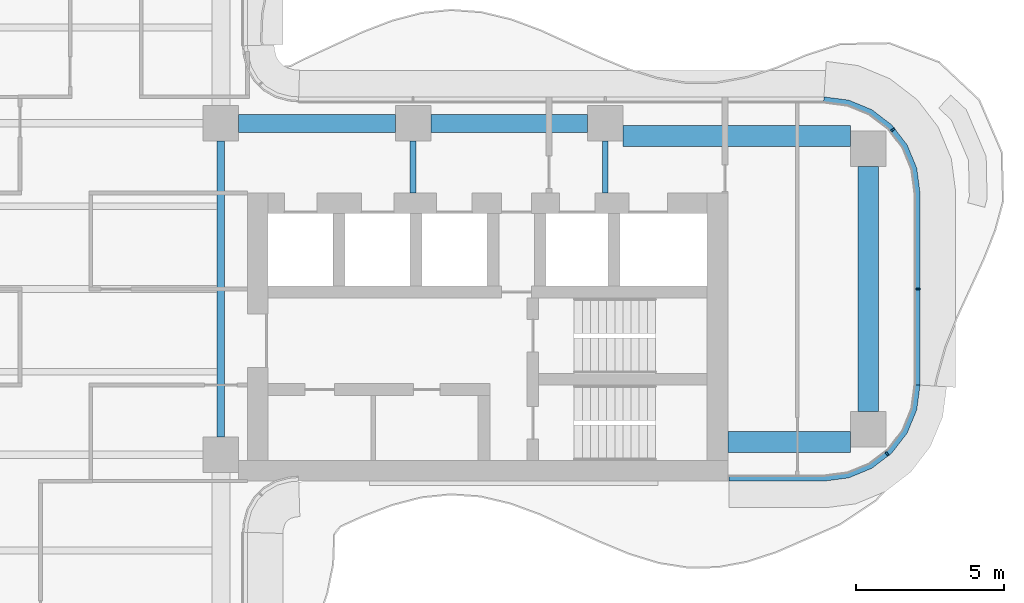
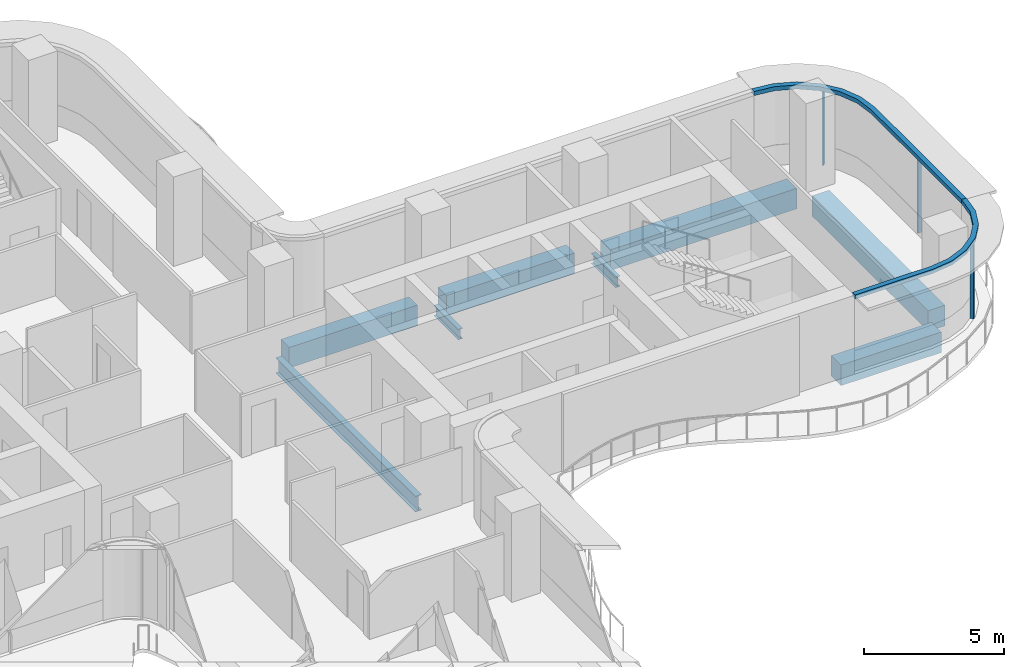
# One storey, part 6 of 17: 8 beams, 5 members, 2 elements without a shape of their own.
"""IFC4 building model written with IfcOpenShell, lengths in metres."""

from ifc_helpers import new_model, si_unit, direction, frame, origin, origin_2d, place, context, subcontext, project, spatial, polyline, rectangle, i_section, outline, extrude, source, transform, mapped, material, layer, layer_set, material_profile, profile_set, type_object, element, aggregate, save


model = new_model("IFC4")

# Units and contexts
model_context = context("Model", 3, precision=1e-05, world=origin(), true_north=direction((0.0, 1.0)))
body_context = subcontext(model_context, "Body", "Model", "MODEL_VIEW")
ifc_project = project(units=[si_unit("LENGTHUNIT", "METRE"), si_unit("AREAUNIT", "SQUARE_METRE"), si_unit("VOLUMEUNIT", "CUBIC_METRE"), si_unit("PLANEANGLEUNIT", "RADIAN"), si_unit("MASSUNIT", "GRAM", prefix="KILO")], contexts=[model_context])

# Site, building, storey
site_placement = place(None, origin())
site = spatial("IfcSite", under=ifc_project, at=site_placement, CompositionType="ELEMENT")
building_placement = place(site_placement, origin())
building = spatial("IfcBuilding", under=site, at=building_placement, Name="Trellis Farm Tower", CompositionType="ELEMENT")
storey_placement = place(building_placement, frame((0.0, 0.0, 208.800048828125)))
storey = spatial("IfcBuildingStorey", under=building, at=storey_placement, Name="L46", CompositionType="ELEMENT", Elevation=208.800048828125)

# Beams
ifc_material_1 = material(Name="Concrete C60/75", Category="concrete")
ifc_material_profile_1 = material_profile(ifc_material_1, rectangle(XDim=0.60009765625, YDim=0.89990234375, at=origin_2d()), Name="RC spandrel beam 600x900 C60/75")
ifc_profile_set_1 = profile_set([ifc_material_profile_1], Name="Concrete C60/75")
beam_type_1 = type_object("IfcBeamType", Name="RC spandrel beam 600x900 C60/75", PredefinedType="SPANDREL", material=ifc_profile_set_1)
shared_shape_1 = source(origin(), body_context, "Body", "SweptSolid", [
    extrude(rectangle(XDim=0.60009765625, YDim=0.89990234375, at=origin_2d()), origin(), (0.0, 0.0, 1.0), 5.300048828125),
])
for number, where, z_axis, x_axis, name in (
    (1, (6.199951171875, 5.60009765625, -0.650146484375), (1.0, 0.0, 0.0), (0.0, 1.0, 0.0), "Girder"),
    (2, (12.699951171875, 5.60009765625, -0.650146484375), (1.0, 0.0, 0.0), (0.0, 1.0, 0.0), "Girder"),
):
    element("IfcBeam", number, at=place(storey_placement, frame(where, z_axis=z_axis, x_axis=x_axis)), inside=storey, type_object=beam_type_1, Name=name, PredefinedType="SPANDREL", context=body_context, shape_type="MappedRepresentation", body=[
        mapped(shared_shape_1, transform((0.0, 0.0, 0.0))),
    ])
ifc_material_2 = material(Name="Steel S355", Category="steel")
ifc_material_profile_2 = material_profile(ifc_material_2, i_section(OverallWidth=0.253662109375, OverallDepth=0.68359375, WebThickness=0.012451171875, FlangeThickness=0.021728515625, FilletRadius=0.01513671875, at=origin_2d()), Name="UB 686x254x140")
ifc_profile_set_2 = profile_set([ifc_material_profile_2], Name="Steel S355")
beam_type_2 = type_object("IfcBeamType", Name="UB 686x254x140", PredefinedType="BEAM", material=ifc_profile_set_2)
shared_shape_2 = source(origin(), body_context, "Body", "SweptSolid", [
    extrude(i_section(OverallWidth=0.253662109375, OverallDepth=0.68359375, WebThickness=0.012451171875, FlangeThickness=0.021728515625, FilletRadius=0.01513671875, at=origin_2d()), origin(), (0.0, 0.0, 1.0), 10.0),
])
beam_1_placement = place(storey_placement, frame((5.60009765625, -5.0, -0.541748046875), z_axis=(0.0, 1.0, 0.0), x_axis=(-1.0, 0.0, 0.0)))
element("IfcBeam", 3, at=beam_1_placement, inside=storey, type_object=beam_type_2, Name="Girder", PredefinedType="BEAM", context=body_context, shape_type="MappedRepresentation", body=[
    mapped(shared_shape_2, transform((0.0, 0.0, 0.0))),
])
ifc_material_profile_3 = material_profile(ifc_material_1, rectangle(XDim=0.699951171875, YDim=0.89990234375, at=origin_2d()), Name="RC spandrel beam 700x900 C60/75")
ifc_profile_set_3 = profile_set([ifc_material_profile_3], Name="Concrete C60/75")
beam_type_3 = type_object("IfcBeamType", Name="RC spandrel beam 700x900 C60/75", PredefinedType="SPANDREL", material=ifc_profile_set_3)
shared_shape_3 = source(origin(), body_context, "Body", "SweptSolid", [
    extrude(rectangle(XDim=0.699951171875, YDim=0.89990234375, at=origin_2d()), origin(), (0.0, 0.0, 1.0), 8.2998046875),
])
beam_2_placement = place(storey_placement, frame((27.5, -4.14990234375, -0.650146484375), z_axis=(0.0, 1.0, 0.0), x_axis=(-1.0, 0.0, 0.0)))
element("IfcBeam", 4, at=beam_2_placement, inside=storey, type_object=beam_type_3, Name="Girder", PredefinedType="SPANDREL", context=body_context, shape_type="MappedRepresentation", body=[
    mapped(shared_shape_3, transform((0.0, 0.0, 0.0))),
])
ifc_material_profile_4 = material_profile(ifc_material_2, i_section(OverallWidth=0.1904296875, OverallDepth=0.45703125, WebThickness=0.009033203125, FlangeThickness=0.014404296875, FilletRadius=0.01025390625, at=origin_2d()), Name="UB 457x191x74")
ifc_profile_set_4 = profile_set([ifc_material_profile_4], Name="Steel S355")
beam_type_4 = type_object("IfcBeamType", Name="UB 457x191x74", PredefinedType="BEAM", material=ifc_profile_set_4)
shared_shape_4 = source(origin(), body_context, "Body", "SweptSolid", [
    extrude(i_section(OverallWidth=0.1904296875, OverallDepth=0.45703125, WebThickness=0.009033203125, FlangeThickness=0.014404296875, FilletRadius=0.01025390625, at=origin_2d()), origin(), (0.0, 0.0, 1.0), 1.75),
])
for number, where, z_axis, x_axis, name in (
    (5, (12.10009765625, 3.25, -0.428466796875), (0.0, 1.0, 0.0), (-1.0, 0.0, 0.0), "Girder"),
    (6, (18.60009765625, 3.25, -0.428466796875), (0.0, 1.0, 0.0), (-1.0, 0.0, 0.0), "Girder"),
):
    element("IfcBeam", number, at=place(storey_placement, frame(where, z_axis=z_axis, x_axis=x_axis)), inside=storey, type_object=beam_type_4, Name=name, PredefinedType="BEAM", context=body_context, shape_type="MappedRepresentation", body=[
        mapped(shared_shape_4, transform((0.0, 0.0, 0.0))),
    ])
shared_shape_5 = source(origin(), body_context, "Body", "SweptSolid", [
    extrude(rectangle(XDim=0.699951171875, YDim=0.89990234375, at=origin_2d()), origin(), (0.0, 0.0, 1.0), 7.699951171875),
])
beam_3_placement = place(storey_placement, frame((19.199951171875, 5.175048828125, -0.650146484375), z_axis=(1.0, 0.0, 0.0), x_axis=(0.0, 1.0, 0.0)))
element("IfcBeam", 7, at=beam_3_placement, inside=storey, type_object=beam_type_3, Name="Girder", PredefinedType="SPANDREL", context=body_context, shape_type="MappedRepresentation", body=[
    mapped(shared_shape_5, transform((0.0, 0.0, 0.0))),
])
shared_shape_6 = source(origin(), body_context, "Body", "SweptSolid", [
    extrude(rectangle(XDim=0.699951171875, YDim=0.89990234375, at=origin_2d()), origin(), (0.0, 0.0, 1.0), 4.14990234375),
])
beam_4_placement = place(storey_placement, frame((22.75, -5.175048828125, -0.650146484375), z_axis=(1.0, 0.0, 0.0), x_axis=(0.0, 1.0, 0.0)))
element("IfcBeam", 8, at=beam_4_placement, inside=storey, type_object=beam_type_3, Name="Girder", PredefinedType="SPANDREL", context=body_context, shape_type="MappedRepresentation", body=[
    mapped(shared_shape_6, transform((0.0, 0.0, 0.0))),
])

# Curtain wall, member
ifc_material_3 = material(Name="Aluminium and glass curtain wall", Category="aluminium")
ifc_layer_1 = layer(ifc_material_3, 0.18994140625)
ifc_layer_set_1 = layer_set([ifc_layer_1], Name="RIBBON CURTAIN WALL CW1")
curtain_wall_type = type_object("IfcCurtainWallType", Name="RIBBON CURTAIN WALL CW1", PredefinedType="NOTDEFINED", material=ifc_layer_set_1)
placement_1 = place(storey_placement, origin())
curtain_wall_1 = element("IfcCurtainWall", 9, at=placement_1, inside=storey, type_object=curtain_wall_type, Name="CW1 006", PredefinedType="NOTDEFINED")
ifc_material_4 = material(Name="Aluminium extrusion 6063-T6", Category="aluminium")
ifc_layer_2 = layer(ifc_material_4, 0.199951171875)
ifc_layer_set_2 = layer_set([ifc_layer_2], Name="Aluminium extrusion 6063-T6")
member_type_1 = type_object("IfcMemberType", Name="CW1 TRANSOM 200x180", PredefinedType="USERDEFINED", material=ifc_layer_set_2)
shared_shape_7 = source(origin(), body_context, "Body", "SweptSolid", [
    extrude(outline(polyline([(22.780029296875, -6.5), (26.0, -6.5), (26.841064453125, -6.38916015625), (27.625, -6.064697265625), (28.298095703125, -5.548095703125), (28.814697265625, -4.875), (29.13916015625, -4.091064453125), (29.25, -3.25), (29.050048828125, -3.23681640625), (28.9443359375, -4.0390625), (28.639892578125, -4.774169921875), (28.155517578125, -5.405517578125), (27.524169921875, -5.889892578125), (26.7890625, -6.1943359375), (25.98681640625, -6.300048828125), (22.780029296875, -6.300048828125), (22.780029296875, -6.5)])), origin(), (0.0, 0.0, 1.0), 0.179931640625),
])
placement_2 = place(storey_placement, frame((0.0, 0.0, 3.27001953125)))
member_1 = element("IfcMember", 10, at=placement_2, type_object=member_type_1, Name="TR1 006", ObjectType="TRANSOM", PredefinedType="USERDEFINED", context=body_context, shape_type="MappedRepresentation", body=[
    mapped(shared_shape_7, transform((0.0, 0.0, 0.0))),
])

curtain_wall_2 = element("IfcCurtainWall", 11, at=placement_1, inside=storey, type_object=curtain_wall_type, Name="CW1 007", PredefinedType="NOTDEFINED")
shared_shape_8 = source(origin(), body_context, "Body", "SweptSolid", [
    extrude(outline(polyline([(29.25, -3.25), (29.25, 3.25), (29.13916015625, 4.091064453125), (28.814697265625, 4.875), (28.298095703125, 5.548095703125), (27.625, 6.064697265625), (26.841064453125, 6.38916015625), (26.0, 6.5), (25.98681640625, 6.300048828125), (26.7890625, 6.1943359375), (27.524169921875, 5.889892578125), (28.155517578125, 5.405517578125), (28.639892578125, 4.774169921875), (28.9443359375, 4.0390625), (29.050048828125, 3.23681640625), (29.050048828125, -3.23681640625), (29.25, -3.25)])), origin(), (0.0, 0.0, 1.0), 0.179931640625),
])
member_2 = element("IfcMember", 12, at=placement_2, type_object=member_type_1, Name="TR1 007", ObjectType="TRANSOM", PredefinedType="USERDEFINED", context=body_context, shape_type="MappedRepresentation", body=[
    mapped(shared_shape_8, transform((0.0, 0.0, 0.0))),
])

# Member
ifc_material_profile_5 = material_profile(ifc_material_4, rectangle(XDim=0.06005859375, YDim=0.14990234375, at=origin_2d()), Name="MULLION 60x150")
ifc_profile_set_5 = profile_set([ifc_material_profile_5], Name="Aluminium extrusion 6063-T6")
member_type_2 = type_object("IfcMemberType", Name="CW1 MULLION 60x150", PredefinedType="MULLION", material=ifc_profile_set_5)
shared_shape_9 = source(origin(), body_context, "Body", "SweptSolid", [
    extrude(rectangle(XDim=0.06005859375, YDim=0.14990234375, at=origin_2d()), origin(), (0.0, 0.0, 1.0), 3.27001953125),
])
member_3_placement = place(storey_placement, frame((28.135498046875, -5.578369140625, 0.0), z_axis=(0.0, 0.0, 1.0), x_axis=(0.793353340291, 0.608761429009, 0.0)))
member_3 = element("IfcMember", 13, at=member_3_placement, type_object=member_type_2, Name="MU1 006-01", PredefinedType="MULLION", context=body_context, shape_type="MappedRepresentation", body=[
    mapped(shared_shape_9, transform((0.0, 0.0, 0.0))),
])

aggregate(curtain_wall_1, [member_3, member_1])

member_4_placement = place(storey_placement, frame((29.175048828125, 0.0, 0.0), z_axis=(0.0, 0.0, 1.0), x_axis=(0.0, 1.0, 0.0)))
member_4 = element("IfcMember", 14, at=member_4_placement, type_object=member_type_2, Name="MU1 007-01", PredefinedType="MULLION", context=body_context, shape_type="MappedRepresentation", body=[
    mapped(shared_shape_9, transform((0.0, 0.0, 0.0))),
])

member_5_placement = place(storey_placement, frame((28.328369140625, 5.385498046875, 0.0), z_axis=(0.0, 0.0, 1.0), x_axis=(-0.608761429009, 0.793353340291, 0.0)))
member_5 = element("IfcMember", 15, at=member_5_placement, type_object=member_type_2, Name="MU1 007-02", PredefinedType="MULLION", context=body_context, shape_type="MappedRepresentation", body=[
    mapped(shared_shape_9, transform((0.0, 0.0, 0.0))),
])

aggregate(curtain_wall_2, [member_4, member_5, member_2])

save(model, "model.ifc")
